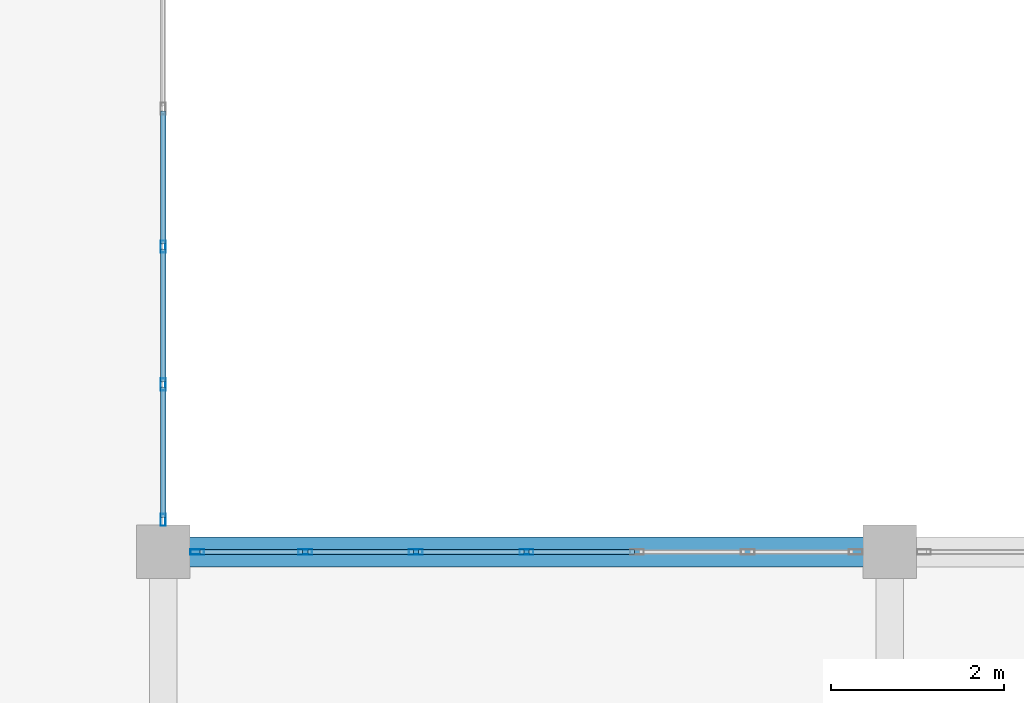
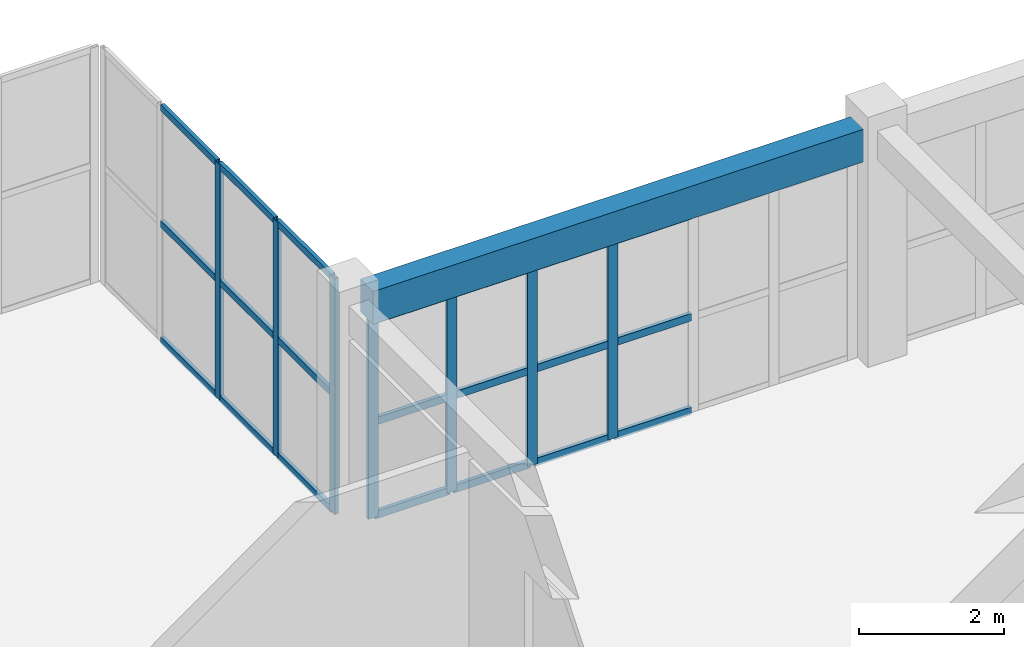
# One storey, part 37 of 81: 28 members, 1 beam, 2 elements without a shape of their own.
"""IFC4 building model written with IfcOpenShell, lengths in metres."""

from ifc_helpers import new_model, si_unit, direction, frame, origin, origin_2d, place, context, subcontext, project, spatial, rectangle, hollow_rectangle, extrude, material, layer, layer_set, material_profile, profile_set, type_object, element, aggregate, save


model = new_model("IFC4")

# Units and contexts
model_context = context("Model", 3, precision=1e-05, world=origin(), true_north=direction((0.0, 1.0)))
body_context = subcontext(model_context, "Body", "Model", "MODEL_VIEW")
ifc_project = project(units=[si_unit("LENGTHUNIT", "METRE"), si_unit("AREAUNIT", "SQUARE_METRE"), si_unit("VOLUMEUNIT", "CUBIC_METRE"), si_unit("PLANEANGLEUNIT", "RADIAN"), si_unit("MASSUNIT", "GRAM", prefix="KILO")], contexts=[model_context])

# Site, building, storey
site_placement = place(None, origin())
site = spatial("IfcSite", under=ifc_project, at=site_placement, CompositionType="ELEMENT")
building_placement = place(site_placement, origin())
building = spatial("IfcBuilding", under=site, at=building_placement, Name="Trelvath General Hospital", CompositionType="ELEMENT")
storey_placement = place(building_placement, frame((0.0, 0.0, 24.60009765625)))
storey = spatial("IfcBuildingStorey", under=building, at=storey_placement, Name="L06", CompositionType="ELEMENT", Elevation=24.60009765625)

# Beam
ifc_material_1 = material(Name="Concrete C35/45", Category="concrete")
ifc_material_profile_1 = material_profile(ifc_material_1, rectangle(XDim=0.35009765625, YDim=0.550048828125, at=origin_2d()), Name="RCB350x550")
ifc_profile_set_1 = profile_set([ifc_material_profile_1], Name="Concrete C35/45")
beam_type = type_object("IfcBeamType", Name="Beam RC350x550", PredefinedType="BEAM", material=ifc_profile_set_1)
beam_placement = place(storey_placement, frame((75.905029296875, 67.199951171875, 3.64501953125), z_axis=(1.0, 0.0, 0.0), x_axis=(0.0, 1.0, 0.0)))
element("IfcBeam", 1, at=beam_placement, inside=storey, type_object=beam_type, Name="Grid Beam BX-609I", PredefinedType="BEAM", context=body_context, shape_type="SweptSolid", body=[
    extrude(rectangle(XDim=0.35009765625, YDim=0.550048828125, at=origin_2d()), origin(), (0.0, 0.0, 1.0), 7.7900390625),
])

# Curtain wall, members
ifc_material_2 = material(Name="Anodised aluminium and low-E glass", Category="aluminium")
ifc_layer_1 = layer(ifc_material_2, 0.139892578125)
ifc_layer_set_1 = layer_set([ifc_layer_1], Name="Anodised aluminium and low-E glass")
curtain_wall_type_1 = type_object("IfcCurtainWallType", Name="CW CrystalCube 638 396 14", PredefinedType="USERDEFINED", material=ifc_layer_set_1)
curtain_wall_1_placement = place(storey_placement, origin())
curtain_wall_1 = element("IfcCurtainWall", 2, at=curtain_wall_1_placement, inside=storey, type_object=curtain_wall_type_1, Name="Crystal Cube Curtain Wall CUBE-W-T2 E3 L06", ObjectType="Unitised Glazed Curtain Wall", PredefinedType="USERDEFINED")
ifc_material_3 = material(Name="Anodised aluminium", Category="aluminium")
ifc_material_profile_2 = material_profile(ifc_material_3, hollow_rectangle(XDim=0.06005859375, YDim=0.139892578125, WallThickness=0.00390625, at=origin_2d()), Name="RHS60x140x4")
ifc_profile_set_2 = profile_set([ifc_material_profile_2], Name="Anodised aluminium")
member_type_1 = type_object("IfcMemberType", Name="CurtainMullion 60x140", PredefinedType="MULLION", material=ifc_profile_set_2)
member_1_placement = place(storey_placement, frame((75.60009765625, 70.72998046875, 0.0), z_axis=(0.0, 0.0, 1.0), x_axis=(1.0, 0.0, 0.0)))
member_1 = element("IfcMember", 3, at=member_1_placement, type_object=member_type_1, Name="CW-331 mullion 3", PredefinedType="MULLION", context=body_context, shape_type="SweptSolid", body=[
    extrude(hollow_rectangle(XDim=0.06005859375, YDim=0.139892578125, WallThickness=0.00390625, at=origin_2d()), origin(), (0.0, 0.0, 1.0), 3.9599609375),
])
member_2_placement = place(storey_placement, frame((75.60009765625, 69.135009765625, 0.0), z_axis=(0.0, 0.0, 1.0), x_axis=(1.0, 0.0, 0.0)))
member_2 = element("IfcMember", 4, at=member_2_placement, type_object=member_type_1, Name="CW-331 mullion 4", PredefinedType="MULLION", context=body_context, shape_type="SweptSolid", body=[
    extrude(hollow_rectangle(XDim=0.06005859375, YDim=0.139892578125, WallThickness=0.00390625, at=origin_2d()), origin(), (0.0, 0.0, 1.0), 3.9599609375),
])
member_3_placement = place(storey_placement, frame((75.60009765625, 67.570068359375, 0.0), z_axis=(0.0, 0.0, 1.0), x_axis=(1.0, 0.0, 0.0)))
member_3 = element("IfcMember", 5, at=member_3_placement, type_object=member_type_1, Name="CW-331 mullion 5", PredefinedType="MULLION", context=body_context, shape_type="SweptSolid", body=[
    extrude(hollow_rectangle(XDim=0.06005859375, YDim=0.139892578125, WallThickness=0.00390625, at=origin_2d()), origin(), (0.0, 0.0, 1.0), 3.9599609375),
])

ifc_material_4 = material(Name="Anodised aluminium and low-E glass", Category="aluminium")
ifc_layer_2 = layer(ifc_material_4, 0.14990234375)
ifc_layer_set_2 = layer_set([ifc_layer_2], Name="Anodised aluminium and low-E glass")
curtain_wall_type_2 = type_object("IfcCurtainWallType", Name="CW Facade 767 334 15", PredefinedType="USERDEFINED", material=ifc_layer_set_2)
curtain_wall_2_placement = place(storey_placement, origin())
curtain_wall_2 = element("IfcCurtainWall", 6, at=curtain_wall_2_placement, inside=storey, type_object=curtain_wall_type_2, Name="Facade Curtain Wall CW-079", ObjectType="Unitised Glazed Curtain Wall", PredefinedType="USERDEFINED")
ifc_material_5 = material(Name="Anodised aluminium", Category="aluminium")
ifc_material_profile_3 = material_profile(ifc_material_5, hollow_rectangle(XDim=0.06005859375, YDim=0.159912109375, WallThickness=0.00390625, at=origin_2d()), Name="RHS60x160x4")
ifc_profile_set_3 = profile_set([ifc_material_profile_3], Name="Anodised aluminium")
member_type_2 = type_object("IfcMemberType", Name="CurtainMullion 60x160", PredefinedType="MULLION", material=ifc_profile_set_3)
member_4_placement = place(storey_placement, frame((75.9951171875, 67.199951171875, 0.0), z_axis=(0.0, 0.0, 1.0), x_axis=(0.0, 1.0, 0.0)))
member_4 = element("IfcMember", 7, at=member_4_placement, type_object=member_type_2, Name="CW-079 mullion 1", PredefinedType="MULLION", context=body_context, shape_type="SweptSolid", body=[
    extrude(hollow_rectangle(XDim=0.06005859375, YDim=0.159912109375, WallThickness=0.00390625, at=origin_2d()), origin(), (0.0, 0.0, 1.0), 3.33984375),
])
member_5_placement = place(storey_placement, frame((77.243408203125, 67.199951171875, 0.0), z_axis=(0.0, 0.0, 1.0), x_axis=(0.0, 1.0, 0.0)))
member_5 = element("IfcMember", 8, at=member_5_placement, type_object=member_type_2, Name="CW-079 mullion 2", PredefinedType="MULLION", context=body_context, shape_type="SweptSolid", body=[
    extrude(hollow_rectangle(XDim=0.06005859375, YDim=0.159912109375, WallThickness=0.00390625, at=origin_2d()), origin(), (0.0, 0.0, 1.0), 3.33984375),
])
member_6_placement = place(storey_placement, frame((78.521728515625, 67.199951171875, 0.0), z_axis=(0.0, 0.0, 1.0), x_axis=(0.0, 1.0, 0.0)))
member_6 = element("IfcMember", 9, at=member_6_placement, type_object=member_type_2, Name="CW-079 mullion 3", PredefinedType="MULLION", context=body_context, shape_type="SweptSolid", body=[
    extrude(hollow_rectangle(XDim=0.06005859375, YDim=0.159912109375, WallThickness=0.00390625, at=origin_2d()), origin(), (0.0, 0.0, 1.0), 3.33984375),
])
member_7_placement = place(storey_placement, frame((79.800048828125, 67.199951171875, 0.0), z_axis=(0.0, 0.0, 1.0), x_axis=(0.0, 1.0, 0.0)))
member_7 = element("IfcMember", 10, at=member_7_placement, type_object=member_type_2, Name="CW-079 mullion 4", PredefinedType="MULLION", context=body_context, shape_type="SweptSolid", body=[
    extrude(hollow_rectangle(XDim=0.06005859375, YDim=0.159912109375, WallThickness=0.00390625, at=origin_2d()), origin(), (0.0, 0.0, 1.0), 3.33984375),
])

# Member
ifc_material_6 = material(Name="Anodised aluminium", Category="aluminium")
ifc_material_profile_4 = material_profile(ifc_material_6, hollow_rectangle(XDim=0.06005859375, YDim=0.110107421875, WallThickness=0.00390625, at=origin_2d()), Name="RHS60x110x4")
ifc_profile_set_4 = profile_set([ifc_material_profile_4], Name="Anodised aluminium")
member_type_3 = type_object("IfcMemberType", Name="CurtainTransom 60x110", PredefinedType="USERDEFINED", material=ifc_profile_set_4)
member_8_placement = place(storey_placement, frame((75.60009765625, 72.294921875, 0.02978515625), z_axis=(0.0, -1.0, 0.0), x_axis=(1.0, 0.0, 0.0)))
member_8 = element("IfcMember", 11, at=member_8_placement, type_object=member_type_3, Name="CW-331 transom 2.1", ObjectType="TRANSOM", PredefinedType="USERDEFINED", context=body_context, shape_type="SweptSolid", body=[
    extrude(hollow_rectangle(XDim=0.06005859375, YDim=0.110107421875, WallThickness=0.00390625, at=origin_2d()), origin(), (0.0, 0.0, 1.0), 1.534912109375),
])

member_9_placement = place(storey_placement, frame((75.60009765625, 72.294921875, 1.97998046875), z_axis=(0.0, -1.0, 0.0), x_axis=(1.0, 0.0, 0.0)))
member_9 = element("IfcMember", 12, at=member_9_placement, type_object=member_type_3, Name="CW-331 transom 2.2", ObjectType="TRANSOM", PredefinedType="USERDEFINED", context=body_context, shape_type="SweptSolid", body=[
    extrude(hollow_rectangle(XDim=0.06005859375, YDim=0.110107421875, WallThickness=0.00390625, at=origin_2d()), origin(), (0.0, 0.0, 1.0), 1.534912109375),
])

member_10_placement = place(storey_placement, frame((75.60009765625, 72.294921875, 3.929931640625), z_axis=(0.0, -1.0, 0.0), x_axis=(1.0, 0.0, 0.0)))
member_10 = element("IfcMember", 13, at=member_10_placement, type_object=member_type_3, Name="CW-331 transom 2.3", ObjectType="TRANSOM", PredefinedType="USERDEFINED", context=body_context, shape_type="SweptSolid", body=[
    extrude(hollow_rectangle(XDim=0.06005859375, YDim=0.110107421875, WallThickness=0.00390625, at=origin_2d()), origin(), (0.0, 0.0, 1.0), 1.534912109375),
])

member_11_placement = place(storey_placement, frame((75.60009765625, 70.699951171875, 0.02978515625), z_axis=(0.0, -1.0, 0.0), x_axis=(1.0, 0.0, 0.0)))
member_11 = element("IfcMember", 14, at=member_11_placement, type_object=member_type_3, Name="CW-331 transom 3.1", ObjectType="TRANSOM", PredefinedType="USERDEFINED", context=body_context, shape_type="SweptSolid", body=[
    extrude(hollow_rectangle(XDim=0.06005859375, YDim=0.110107421875, WallThickness=0.00390625, at=origin_2d()), origin(), (0.0, 0.0, 1.0), 1.534912109375),
])

member_12_placement = place(storey_placement, frame((75.60009765625, 70.699951171875, 1.97998046875), z_axis=(0.0, -1.0, 0.0), x_axis=(1.0, 0.0, 0.0)))
member_12 = element("IfcMember", 15, at=member_12_placement, type_object=member_type_3, Name="CW-331 transom 3.2", ObjectType="TRANSOM", PredefinedType="USERDEFINED", context=body_context, shape_type="SweptSolid", body=[
    extrude(hollow_rectangle(XDim=0.06005859375, YDim=0.110107421875, WallThickness=0.00390625, at=origin_2d()), origin(), (0.0, 0.0, 1.0), 1.534912109375),
])

member_13_placement = place(storey_placement, frame((75.60009765625, 70.699951171875, 3.929931640625), z_axis=(0.0, -1.0, 0.0), x_axis=(1.0, 0.0, 0.0)))
member_13 = element("IfcMember", 16, at=member_13_placement, type_object=member_type_3, Name="CW-331 transom 3.3", ObjectType="TRANSOM", PredefinedType="USERDEFINED", context=body_context, shape_type="SweptSolid", body=[
    extrude(hollow_rectangle(XDim=0.06005859375, YDim=0.110107421875, WallThickness=0.00390625, at=origin_2d()), origin(), (0.0, 0.0, 1.0), 1.534912109375),
])

member_14_placement = place(storey_placement, frame((75.60009765625, 69.10498046875, 0.02978515625), z_axis=(0.0, -1.0, 0.0), x_axis=(1.0, 0.0, 0.0)))
member_14 = element("IfcMember", 17, at=member_14_placement, type_object=member_type_3, Name="CW-331 transom 4.1", ObjectType="TRANSOM", PredefinedType="USERDEFINED", context=body_context, shape_type="SweptSolid", body=[
    extrude(hollow_rectangle(XDim=0.06005859375, YDim=0.110107421875, WallThickness=0.00390625, at=origin_2d()), origin(), (0.0, 0.0, 1.0), 1.5048828125),
])

member_15_placement = place(storey_placement, frame((75.60009765625, 69.10498046875, 1.97998046875), z_axis=(0.0, -1.0, 0.0), x_axis=(1.0, 0.0, 0.0)))
member_15 = element("IfcMember", 18, at=member_15_placement, type_object=member_type_3, Name="CW-331 transom 4.2", ObjectType="TRANSOM", PredefinedType="USERDEFINED", context=body_context, shape_type="SweptSolid", body=[
    extrude(hollow_rectangle(XDim=0.06005859375, YDim=0.110107421875, WallThickness=0.00390625, at=origin_2d()), origin(), (0.0, 0.0, 1.0), 1.5048828125),
])

member_16_placement = place(storey_placement, frame((75.60009765625, 69.10498046875, 3.929931640625), z_axis=(0.0, -1.0, 0.0), x_axis=(1.0, 0.0, 0.0)))
member_16 = element("IfcMember", 19, at=member_16_placement, type_object=member_type_3, Name="CW-331 transom 4.3", ObjectType="TRANSOM", PredefinedType="USERDEFINED", context=body_context, shape_type="SweptSolid", body=[
    extrude(hollow_rectangle(XDim=0.06005859375, YDim=0.110107421875, WallThickness=0.00390625, at=origin_2d()), origin(), (0.0, 0.0, 1.0), 1.5048828125),
])

aggregate(curtain_wall_1, [member_1, member_2, member_3, member_8, member_9, member_10, member_11, member_12, member_13, member_14, member_15, member_16])

ifc_material_7 = material(Name="Anodised aluminium", Category="aluminium")
ifc_material_profile_5 = material_profile(ifc_material_7, hollow_rectangle(XDim=0.06005859375, YDim=0.125, WallThickness=0.00390625, at=origin_2d()), Name="RHS60x125x4")
ifc_profile_set_5 = profile_set([ifc_material_profile_5], Name="Anodised aluminium")
member_type_4 = type_object("IfcMemberType", Name="CurtainTransom 60x125", PredefinedType="USERDEFINED", material=ifc_profile_set_5)
member_17_placement = place(storey_placement, frame((76.02490234375, 67.199951171875, 0.02978515625), z_axis=(1.0, 0.0, 0.0), x_axis=(0.0, 1.0, 0.0)))
member_17 = element("IfcMember", 20, at=member_17_placement, type_object=member_type_4, Name="CW-079 transom 1.1", ObjectType="TRANSOM", PredefinedType="USERDEFINED", context=body_context, shape_type="SweptSolid", body=[
    extrude(hollow_rectangle(XDim=0.06005859375, YDim=0.125, WallThickness=0.00390625, at=origin_2d()), origin(), (0.0, 0.0, 1.0), 1.1884765625),
])

member_18_placement = place(storey_placement, frame((76.02490234375, 67.199951171875, 1.602783203125), z_axis=(1.0, 0.0, 0.0), x_axis=(0.0, 1.0, 0.0)))
member_18 = element("IfcMember", 21, at=member_18_placement, type_object=member_type_4, Name="CW-079 transom 1.2", ObjectType="TRANSOM", PredefinedType="USERDEFINED", context=body_context, shape_type="SweptSolid", body=[
    extrude(hollow_rectangle(XDim=0.06005859375, YDim=0.125, WallThickness=0.00390625, at=origin_2d()), origin(), (0.0, 0.0, 1.0), 1.1884765625),
])

member_19_placement = place(storey_placement, frame((76.02490234375, 67.199951171875, 3.309814453125), z_axis=(1.0, 0.0, 0.0), x_axis=(0.0, 1.0, 0.0)))
member_19 = element("IfcMember", 22, at=member_19_placement, type_object=member_type_4, Name="CW-079 transom 1.3", ObjectType="TRANSOM", PredefinedType="USERDEFINED", context=body_context, shape_type="SweptSolid", body=[
    extrude(hollow_rectangle(XDim=0.06005859375, YDim=0.125, WallThickness=0.00390625, at=origin_2d()), origin(), (0.0, 0.0, 1.0), 1.1884765625),
])

member_20_placement = place(storey_placement, frame((77.2734375, 67.199951171875, 0.02978515625), z_axis=(1.0, 0.0, 0.0), x_axis=(0.0, 1.0, 0.0)))
member_20 = element("IfcMember", 23, at=member_20_placement, type_object=member_type_4, Name="CW-079 transom 2.1", ObjectType="TRANSOM", PredefinedType="USERDEFINED", context=body_context, shape_type="SweptSolid", body=[
    extrude(hollow_rectangle(XDim=0.06005859375, YDim=0.125, WallThickness=0.00390625, at=origin_2d()), origin(), (0.0, 0.0, 1.0), 1.21826171875),
])

member_21_placement = place(storey_placement, frame((77.2734375, 67.199951171875, 1.602783203125), z_axis=(1.0, 0.0, 0.0), x_axis=(0.0, 1.0, 0.0)))
member_21 = element("IfcMember", 24, at=member_21_placement, type_object=member_type_4, Name="CW-079 transom 2.2", ObjectType="TRANSOM", PredefinedType="USERDEFINED", context=body_context, shape_type="SweptSolid", body=[
    extrude(hollow_rectangle(XDim=0.06005859375, YDim=0.125, WallThickness=0.00390625, at=origin_2d()), origin(), (0.0, 0.0, 1.0), 1.21826171875),
])

member_22_placement = place(storey_placement, frame((77.2734375, 67.199951171875, 3.309814453125), z_axis=(1.0, 0.0, 0.0), x_axis=(0.0, 1.0, 0.0)))
member_22 = element("IfcMember", 25, at=member_22_placement, type_object=member_type_4, Name="CW-079 transom 2.3", ObjectType="TRANSOM", PredefinedType="USERDEFINED", context=body_context, shape_type="SweptSolid", body=[
    extrude(hollow_rectangle(XDim=0.06005859375, YDim=0.125, WallThickness=0.00390625, at=origin_2d()), origin(), (0.0, 0.0, 1.0), 1.21826171875),
])

member_23_placement = place(storey_placement, frame((78.5517578125, 67.199951171875, 0.02978515625), z_axis=(1.0, 0.0, 0.0), x_axis=(0.0, 1.0, 0.0)))
member_23 = element("IfcMember", 26, at=member_23_placement, type_object=member_type_4, Name="CW-079 transom 3.1", ObjectType="TRANSOM", PredefinedType="USERDEFINED", context=body_context, shape_type="SweptSolid", body=[
    extrude(hollow_rectangle(XDim=0.06005859375, YDim=0.125, WallThickness=0.00390625, at=origin_2d()), origin(), (0.0, 0.0, 1.0), 1.21826171875),
])

member_24_placement = place(storey_placement, frame((78.5517578125, 67.199951171875, 1.602783203125), z_axis=(1.0, 0.0, 0.0), x_axis=(0.0, 1.0, 0.0)))
member_24 = element("IfcMember", 27, at=member_24_placement, type_object=member_type_4, Name="CW-079 transom 3.2", ObjectType="TRANSOM", PredefinedType="USERDEFINED", context=body_context, shape_type="SweptSolid", body=[
    extrude(hollow_rectangle(XDim=0.06005859375, YDim=0.125, WallThickness=0.00390625, at=origin_2d()), origin(), (0.0, 0.0, 1.0), 1.21826171875),
])

member_25_placement = place(storey_placement, frame((78.5517578125, 67.199951171875, 3.309814453125), z_axis=(1.0, 0.0, 0.0), x_axis=(0.0, 1.0, 0.0)))
member_25 = element("IfcMember", 28, at=member_25_placement, type_object=member_type_4, Name="CW-079 transom 3.3", ObjectType="TRANSOM", PredefinedType="USERDEFINED", context=body_context, shape_type="SweptSolid", body=[
    extrude(hollow_rectangle(XDim=0.06005859375, YDim=0.125, WallThickness=0.00390625, at=origin_2d()), origin(), (0.0, 0.0, 1.0), 1.21826171875),
])

member_26_placement = place(storey_placement, frame((79.830078125, 67.199951171875, 0.02978515625), z_axis=(1.0, 0.0, 0.0), x_axis=(0.0, 1.0, 0.0)))
member_26 = element("IfcMember", 29, at=member_26_placement, type_object=member_type_4, Name="CW-079 transom 4.1", ObjectType="TRANSOM", PredefinedType="USERDEFINED", context=body_context, shape_type="SweptSolid", body=[
    extrude(hollow_rectangle(XDim=0.06005859375, YDim=0.125, WallThickness=0.00390625, at=origin_2d()), origin(), (0.0, 0.0, 1.0), 1.21826171875),
])

member_27_placement = place(storey_placement, frame((79.830078125, 67.199951171875, 1.602783203125), z_axis=(1.0, 0.0, 0.0), x_axis=(0.0, 1.0, 0.0)))
member_27 = element("IfcMember", 30, at=member_27_placement, type_object=member_type_4, Name="CW-079 transom 4.2", ObjectType="TRANSOM", PredefinedType="USERDEFINED", context=body_context, shape_type="SweptSolid", body=[
    extrude(hollow_rectangle(XDim=0.06005859375, YDim=0.125, WallThickness=0.00390625, at=origin_2d()), origin(), (0.0, 0.0, 1.0), 1.21826171875),
])

member_28_placement = place(storey_placement, frame((79.830078125, 67.199951171875, 3.309814453125), z_axis=(1.0, 0.0, 0.0), x_axis=(0.0, 1.0, 0.0)))
member_28 = element("IfcMember", 31, at=member_28_placement, type_object=member_type_4, Name="CW-079 transom 4.3", ObjectType="TRANSOM", PredefinedType="USERDEFINED", context=body_context, shape_type="SweptSolid", body=[
    extrude(hollow_rectangle(XDim=0.06005859375, YDim=0.125, WallThickness=0.00390625, at=origin_2d()), origin(), (0.0, 0.0, 1.0), 1.21826171875),
])

aggregate(curtain_wall_2, [member_4, member_5, member_6, member_7, member_17, member_18, member_19, member_20, member_21, member_22, member_23, member_24, member_25, member_26, member_27, member_28])

save(model, "model.ifc")
